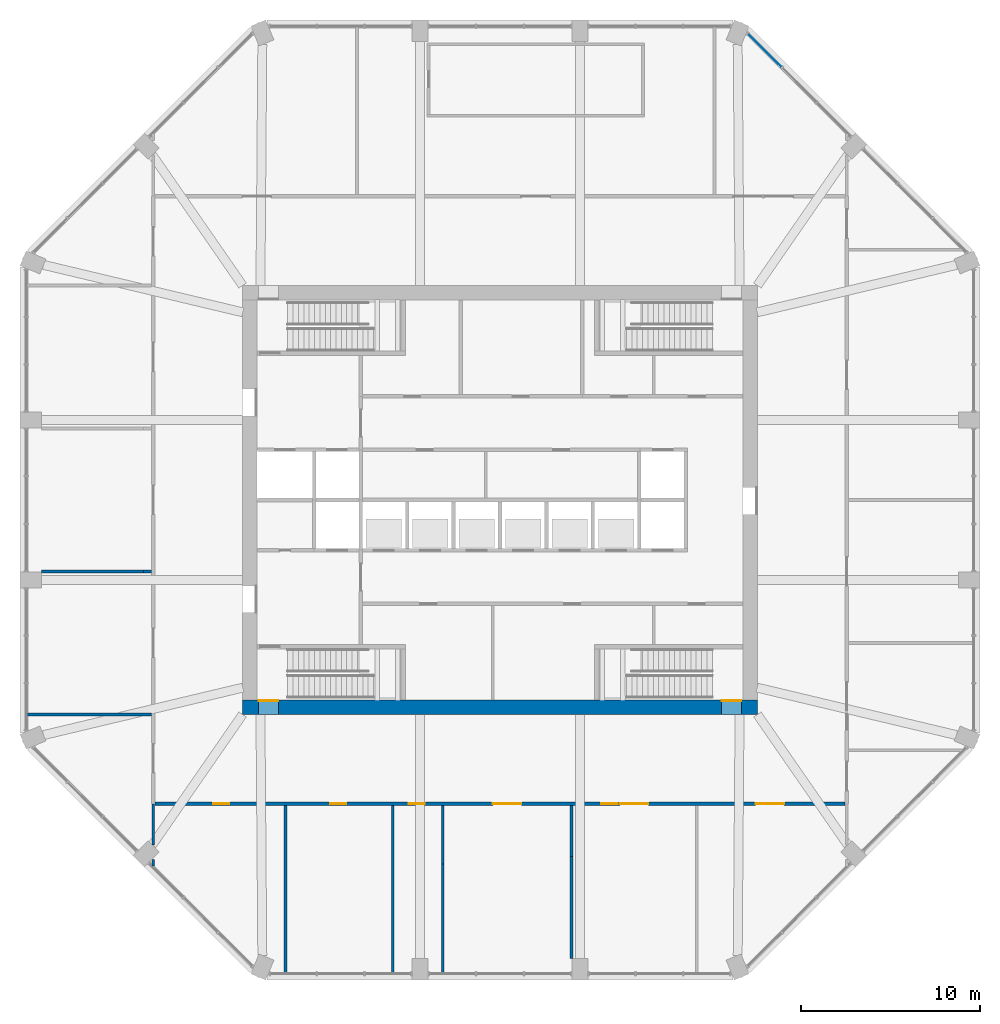
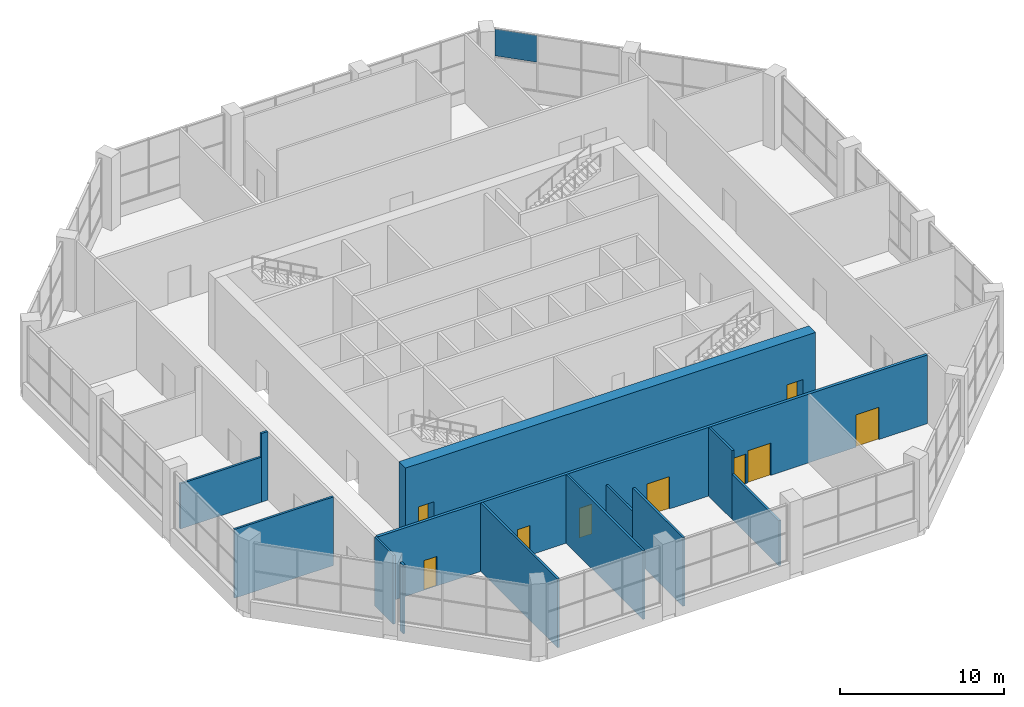
# One storey, part 11 of 16: 13 walls, 9 doors, 1 plate, 9 openings, 1 element without a shape of its own.
"""IFC4 building model written with IfcOpenShell, lengths in metres."""

from ifc_helpers import new_model, si_unit, direction, frame, frame_2d, origin, origin_2d, place, context, subcontext, project, spatial, rectangle, extrude, material, layer, layer_set, type_object, element, fill, aggregate, save


model = new_model("IFC4")

# Units and contexts
model_context = context("Model", 3, precision=1e-05, world=origin(), true_north=direction((0.0, 1.0)))
body_context = subcontext(model_context, "Body", "Model", "MODEL_VIEW")
ifc_project = project(units=[si_unit("LENGTHUNIT", "METRE"), si_unit("AREAUNIT", "SQUARE_METRE"), si_unit("VOLUMEUNIT", "CUBIC_METRE"), si_unit("PLANEANGLEUNIT", "RADIAN"), si_unit("MASSUNIT", "GRAM", prefix="KILO")], contexts=[model_context])

# Site, building, storey
site_placement = place(None, origin())
site = spatial("IfcSite", under=ifc_project, at=site_placement, CompositionType="ELEMENT")
building_placement = place(site_placement, origin())
building = spatial("IfcBuilding", under=site, at=building_placement, Name="Msitu Wima Residences", CompositionType="ELEMENT")
storey_placement = place(building_placement, frame((0.0, 0.0, 156.89990234375)))
storey = spatial("IfcBuildingStorey", under=building, at=storey_placement, Name="L36", CompositionType="ELEMENT", Elevation=156.89990234375)

# Curtain wall, plate
ifc_material_1 = material(Name="Anodised aluminium, bronze finish, solar control laminated double glazing", Category="aluminium")
curtain_wall_type = type_object("IfcCurtainWallType", Name="Curtain wall CW2 sky amenity wall", PredefinedType="NOTDEFINED", material=ifc_material_1)
curtain_wall_placement = place(storey_placement, origin())
curtain_wall = element("IfcCurtainWall", 1, at=curtain_wall_placement, inside=storey, type_object=curtain_wall_type, Name="Curtain wall CW2 L36 NE1", PredefinedType="NOTDEFINED")
ifc_material_2 = material(Name="Solar control laminated double glazing", Category="glass")
ifc_layer_1 = layer(ifc_material_2, 0.0400390625)
ifc_layer_set_1 = layer_set([ifc_layer_1], Name="Solar control laminated double glazing")
plate_type = type_object("IfcPlateType", Name="Glass panel CW2 40", PredefinedType="CURTAIN_PANEL", material=ifc_layer_set_1)
plate_placement = place(storey_placement, frame((14.806640625, 25.140625, 3.03759765625), z_axis=(0.0, 0.0, 1.0), x_axis=(-0.707106781187, 0.707106781187, 0.0)))
plate = element("IfcPlate", 2, at=plate_placement, type_object=plate_type, Name="CW2 panel 3.2", PredefinedType="CURTAIN_PANEL", context=body_context, shape_type="SweptSolid", body=[
    extrude(rectangle(XDim=2.637939453125, YDim=0.0400390625, at=origin_2d()), origin(), (0.0, 0.0, 1.0), 1.987548828125),
])
aggregate(curtain_wall, [plate])

# Wall, openings, doors
ifc_material_3 = material(Name="Concrete C70/85", Category="concrete")
ifc_layer_2 = layer(ifc_material_3, 0.800048828125)
ifc_layer_set_2 = layer_set([ifc_layer_2], Name="Concrete C70/85")
wall_type_1 = type_object("IfcWallType", Name="Core wall CW800 C70/85", PredefinedType="SHEAR", material=ifc_layer_set_2)
wall_1_placement = place(storey_placement, frame((-14.39990234375, -11.60009765625, 0.0), z_axis=(0.0, 0.0, 1.0), x_axis=(1.0, 0.0, 0.0)))
wall_1 = element("IfcWall", 3, at=wall_1_placement, inside=storey, type_object=wall_type_1, Name="Core wall", PredefinedType="SHEAR", context=body_context, shape_type="SweptSolid", body=[
    extrude(rectangle(XDim=28.7998046875, YDim=0.800048828125, at=frame_2d((14.39990234375, 0.0))), origin(), (0.0, 0.0, 1.0), 5.400146484375),
])
opening_1_placement = place(wall_1_placement, frame((0.89990234375, 0.0, 0.0)))
opening_1 = element("IfcOpeningElement", 4, at=opening_1_placement, cuts=wall_1, Name="Opening D36.041", PredefinedType="OPENING", context=body_context, shape_type="SweptSolid", body=[
    extrude(rectangle(XDim=1.10009765625, YDim=2.199951171875, at=frame_2d((0.550048828125, 1.10009765625))), frame((0.0, 0.409912109375, 0.0), z_axis=(0.0, -1.0, 0.0), x_axis=(1.0, 0.0, 0.0)), (0.0, 0.0, 1.0), 0.820068359375),
])
opening_2_placement = place(wall_1_placement, frame((26.800048828125, 0.0, 0.0)))
opening_2 = element("IfcOpeningElement", 5, at=opening_2_placement, cuts=wall_1, Name="Opening D36.043", PredefinedType="OPENING", context=body_context, shape_type="SweptSolid", body=[
    extrude(rectangle(XDim=1.10009765625, YDim=2.199951171875, at=frame_2d((0.550048828125, 1.10009765625))), frame((0.0, 0.409912109375, 0.0), z_axis=(0.0, -1.0, 0.0), x_axis=(1.0, 0.0, 0.0)), (0.0, 0.0, 1.0), 0.820068359375),
])
ifc_material_4 = material(Name="Steel door, fire resisting, panic bar", Category="steel")
door_type_1 = type_object("IfcDoorType", Name="Stair door D06 1100x2200", OperationType="SINGLE_SWING_LEFT", PredefinedType="DOOR", material=ifc_material_4)
door_1_placement = place(opening_1_placement, origin())
door_1 = element("IfcDoor", 6, at=door_1_placement, inside=storey, type_object=door_type_1, Name="Stair door", OperationType="SINGLE_SWING_LEFT", OverallHeight=2.199951171875, OverallWidth=1.10009765625, PredefinedType="DOOR", context=body_context, shape_type="SweptSolid", body=[
    extrude(rectangle(XDim=1.10009765625, YDim=2.199951171875, at=frame_2d((0.550048828125, 1.10009765625))), frame((0.0, 0.39501953125, 0.0), z_axis=(0.0, -1.0, 0.0), x_axis=(1.0, 0.0, 0.0)), (0.0, 0.0, 1.0), 0.050048828125),
])
fill(opening_1, door_1)
door_2_placement = place(opening_2_placement, origin())
door_2 = element("IfcDoor", 7, at=door_2_placement, inside=storey, type_object=door_type_1, Name="Stair door", OperationType="SINGLE_SWING_RIGHT", OverallHeight=2.199951171875, OverallWidth=1.10009765625, PredefinedType="DOOR", context=body_context, shape_type="SweptSolid", body=[
    extrude(rectangle(XDim=1.10009765625, YDim=2.199951171875, at=frame_2d((0.550048828125, 1.10009765625))), frame((0.0, 0.39501953125, 0.0), z_axis=(0.0, -1.0, 0.0), x_axis=(1.0, 0.0, 0.0)), (0.0, 0.0, 1.0), 0.050048828125),
])
fill(opening_2, door_2)

ifc_material_5 = material(Name="Plaster")
ifc_layer_3 = layer(ifc_material_5, 0.011962890625, Name="Plaster")
ifc_material_6 = material(Name="Concrete blockwork", Category="masonry")
ifc_layer_4 = layer(ifc_material_6, 0.176025390625, Name="Concrete blockwork")
ifc_layer_5 = layer(ifc_material_5, 0.011962890625, Name="Plaster")
ifc_layer_set_3 = layer_set([ifc_layer_3, ifc_layer_4, ifc_layer_5], Name="Concrete blockwork")
wall_type_2 = type_object("IfcWallType", Name="Corridor wall FW200", PredefinedType="PARTITIONING", material=ifc_layer_set_3)
wall_2_placement = place(storey_placement, frame((-19.300048828125, -17.0, 0.0), z_axis=(0.0, 0.0, 1.0), x_axis=(1.0, 0.0, 0.0)))
wall_2 = element("IfcWall", 8, at=wall_2_placement, inside=storey, type_object=wall_type_2, Name="Corridor wall", PredefinedType="PARTITIONING", context=body_context, shape_type="SweptSolid", body=[
    extrude(rectangle(XDim=38.60009765625, YDim=0.199951171875, at=frame_2d((19.300048828125, 0.0))), origin(), (0.0, 0.0, 1.0), 5.10009765625),
])
opening_3_placement = place(wall_2_placement, frame((3.25, 0.0, 0.0)))
opening_3 = element("IfcOpeningElement", 9, at=opening_3_placement, cuts=wall_2, Name="Opening D36.027", PredefinedType="OPENING", context=body_context, shape_type="SweptSolid", body=[
    extrude(rectangle(XDim=0.89990234375, YDim=2.199951171875, at=frame_2d((0.449951171875, 1.10009765625))), frame((0.0, 0.10986328125, 0.0), z_axis=(0.0, -1.0, 0.0), x_axis=(1.0, 0.0, 0.0)), (0.0, 0.0, 1.0), 0.219970703125),
])
opening_4_placement = place(wall_2_placement, frame((9.800048828125, 0.0, 0.0)))
opening_4 = element("IfcOpeningElement", 10, at=opening_4_placement, cuts=wall_2, Name="Opening D36.028", PredefinedType="OPENING", context=body_context, shape_type="SweptSolid", body=[
    extrude(rectangle(XDim=0.89990234375, YDim=2.199951171875, at=frame_2d((0.449951171875, 1.10009765625))), frame((0.0, 0.10986328125, 0.0), z_axis=(0.0, -1.0, 0.0), x_axis=(1.0, 0.0, 0.0)), (0.0, 0.0, 1.0), 0.219970703125),
])
opening_5_placement = place(wall_2_placement, frame((14.199951171875, 0.0, 0.0)))
opening_5 = element("IfcOpeningElement", 11, at=opening_5_placement, cuts=wall_2, Name="Opening D36.029", PredefinedType="OPENING", context=body_context, shape_type="SweptSolid", body=[
    extrude(rectangle(XDim=0.89990234375, YDim=2.199951171875, at=frame_2d((0.449951171875, 1.10009765625))), frame((0.0, 0.10986328125, 0.0), z_axis=(0.0, -1.0, 0.0), x_axis=(1.0, 0.0, 0.0)), (0.0, 0.0, 1.0), 0.219970703125),
])
opening_6_placement = place(wall_2_placement, frame((18.89990234375, 0.0, 0.0)))
opening_6 = element("IfcOpeningElement", 12, at=opening_6_placement, cuts=wall_2, Name="Opening D36.030", PredefinedType="OPENING", context=body_context, shape_type="SweptSolid", body=[
    extrude(rectangle(XDim=1.60009765625, YDim=2.39990234375, at=frame_2d((0.800048828125, 1.199951171875))), frame((0.0, 0.10986328125, 0.0), z_axis=(0.0, -1.0, 0.0), x_axis=(1.0, 0.0, 0.0)), (0.0, 0.0, 1.0), 0.219970703125),
])
opening_7_placement = place(wall_2_placement, frame((26.0, 0.0, 0.0)))
opening_7 = element("IfcOpeningElement", 13, at=opening_7_placement, cuts=wall_2, Name="Opening D36.031", PredefinedType="OPENING", context=body_context, shape_type="SweptSolid", body=[
    extrude(rectangle(XDim=1.60009765625, YDim=2.39990234375, at=frame_2d((0.800048828125, 1.199951171875))), frame((0.0, 0.10986328125, 0.0), z_axis=(0.0, -1.0, 0.0), x_axis=(1.0, 0.0, 0.0)), (0.0, 0.0, 1.0), 0.219970703125),
])
opening_8_placement = place(wall_2_placement, frame((33.60009765625, 0.0, 0.0)))
opening_8 = element("IfcOpeningElement", 14, at=opening_8_placement, cuts=wall_2, Name="Opening D36.032", PredefinedType="OPENING", context=body_context, shape_type="SweptSolid", body=[
    extrude(rectangle(XDim=1.60009765625, YDim=2.39990234375, at=frame_2d((0.800048828125, 1.199951171875))), frame((0.0, 0.10986328125, 0.0), z_axis=(0.0, -1.0, 0.0), x_axis=(1.0, 0.0, 0.0)), (0.0, 0.0, 1.0), 0.219970703125),
])
opening_9_placement = place(wall_2_placement, frame((24.949951171875, 0.0, 0.0)))
opening_9 = element("IfcOpeningElement", 15, at=opening_9_placement, cuts=wall_2, Name="Opening D36.036", PredefinedType="OPENING", context=body_context, shape_type="SweptSolid", body=[
    extrude(rectangle(XDim=0.89990234375, YDim=2.199951171875, at=frame_2d((0.449951171875, 1.10009765625))), frame((0.0, 0.10986328125, 0.0), z_axis=(0.0, -1.0, 0.0), x_axis=(1.0, 0.0, 0.0)), (0.0, 0.0, 1.0), 0.219970703125),
])
ifc_material_7 = material(Name="Black aluminium glazed door", Category="aluminium")
door_type_2 = type_object("IfcDoorType", Name="Amenity door D10 1600x2400", OperationType="DOUBLE_DOOR_SINGLE_SWING", PredefinedType="DOOR", material=ifc_material_7)
door_3_placement = place(opening_6_placement, origin())
door_3 = element("IfcDoor", 16, at=door_3_placement, inside=storey, type_object=door_type_2, Name="Amenity door", OperationType="DOUBLE_DOOR_SINGLE_SWING", OverallHeight=2.39990234375, OverallWidth=1.60009765625, PredefinedType="DOOR", context=body_context, shape_type="SweptSolid", body=[
    extrude(rectangle(XDim=1.60009765625, YDim=2.39990234375, at=frame_2d((0.800048828125, 1.199951171875))), frame((0.0, 0.02490234375, 0.0), z_axis=(0.0, -1.0, 0.0), x_axis=(1.0, 0.0, 0.0)), (0.0, 0.0, 1.0), 0.050048828125),
])
fill(opening_6, door_3)
door_4_placement = place(opening_7_placement, origin())
door_4 = element("IfcDoor", 17, at=door_4_placement, inside=storey, type_object=door_type_2, Name="Amenity door", OperationType="DOUBLE_DOOR_SINGLE_SWING", OverallHeight=2.39990234375, OverallWidth=1.60009765625, PredefinedType="DOOR", context=body_context, shape_type="SweptSolid", body=[
    extrude(rectangle(XDim=1.60009765625, YDim=2.39990234375, at=frame_2d((0.800048828125, 1.199951171875))), frame((0.0, 0.02490234375, 0.0), z_axis=(0.0, -1.0, 0.0), x_axis=(1.0, 0.0, 0.0)), (0.0, 0.0, 1.0), 0.050048828125),
])
fill(opening_7, door_4)
door_5_placement = place(opening_8_placement, origin())
door_5 = element("IfcDoor", 18, at=door_5_placement, inside=storey, type_object=door_type_2, Name="Amenity door", OperationType="DOUBLE_DOOR_SINGLE_SWING", OverallHeight=2.39990234375, OverallWidth=1.60009765625, PredefinedType="DOOR", context=body_context, shape_type="SweptSolid", body=[
    extrude(rectangle(XDim=1.60009765625, YDim=2.39990234375, at=frame_2d((0.800048828125, 1.199951171875))), frame((0.0, 0.02490234375, 0.0), z_axis=(0.0, -1.0, 0.0), x_axis=(1.0, 0.0, 0.0)), (0.0, 0.0, 1.0), 0.050048828125),
])
fill(opening_8, door_5)
ifc_material_8 = material(Name="Timber flush door, moisture resistant", Category="wood")
door_type_3 = type_object("IfcDoorType", Name="Bathroom door D03 900x2200", OperationType="SINGLE_SWING_LEFT", PredefinedType="DOOR", material=ifc_material_8)
door_6_placement = place(opening_3_placement, origin())
door_6 = element("IfcDoor", 19, at=door_6_placement, inside=storey, type_object=door_type_3, Name="Bathroom door", OperationType="SINGLE_SWING_RIGHT", OverallHeight=2.199951171875, OverallWidth=0.89990234375, PredefinedType="DOOR", context=body_context, shape_type="SweptSolid", body=[
    extrude(rectangle(XDim=0.89990234375, YDim=2.199951171875, at=frame_2d((0.449951171875, 1.10009765625))), frame((0.0, 0.02490234375, 0.0), z_axis=(0.0, -1.0, 0.0), x_axis=(1.0, 0.0, 0.0)), (0.0, 0.0, 1.0), 0.050048828125),
])
fill(opening_3, door_6)
door_7_placement = place(opening_4_placement, origin())
door_7 = element("IfcDoor", 20, at=door_7_placement, inside=storey, type_object=door_type_3, Name="Bathroom door", OperationType="SINGLE_SWING_RIGHT", OverallHeight=2.199951171875, OverallWidth=0.89990234375, PredefinedType="DOOR", context=body_context, shape_type="SweptSolid", body=[
    extrude(rectangle(XDim=0.89990234375, YDim=2.199951171875, at=frame_2d((0.449951171875, 1.10009765625))), frame((0.0, 0.02490234375, 0.0), z_axis=(0.0, -1.0, 0.0), x_axis=(1.0, 0.0, 0.0)), (0.0, 0.0, 1.0), 0.050048828125),
])
fill(opening_4, door_7)
door_8_placement = place(opening_5_placement, origin())
door_8 = element("IfcDoor", 21, at=door_8_placement, inside=storey, type_object=door_type_3, Name="Bathroom door", OperationType="SINGLE_SWING_RIGHT", OverallHeight=2.199951171875, OverallWidth=0.89990234375, PredefinedType="DOOR", context=body_context, shape_type="SweptSolid", body=[
    extrude(rectangle(XDim=0.89990234375, YDim=2.199951171875, at=frame_2d((0.449951171875, 1.10009765625))), frame((0.0, 0.02490234375, 0.0), z_axis=(0.0, -1.0, 0.0), x_axis=(1.0, 0.0, 0.0)), (0.0, 0.0, 1.0), 0.050048828125),
])
fill(opening_5, door_8)
ifc_material_9 = material(Name="Timber flush door", Category="wood")
door_type_4 = type_object("IfcDoorType", Name="Service door D05 900x2200", OperationType="SINGLE_SWING_LEFT", PredefinedType="DOOR", material=ifc_material_9)
door_9_placement = place(opening_9_placement, origin())
door_9 = element("IfcDoor", 22, at=door_9_placement, inside=storey, type_object=door_type_4, Name="Service door", OperationType="SINGLE_SWING_RIGHT", OverallHeight=2.199951171875, OverallWidth=0.89990234375, PredefinedType="DOOR", context=body_context, shape_type="SweptSolid", body=[
    extrude(rectangle(XDim=0.89990234375, YDim=2.199951171875, at=frame_2d((0.449951171875, 1.10009765625))), frame((0.0, 0.02490234375, 0.0), z_axis=(0.0, -1.0, 0.0), x_axis=(1.0, 0.0, 0.0)), (0.0, 0.0, 1.0), 0.050048828125),
])
fill(opening_9, door_9)

# Walls
ifc_layer_6 = layer(ifc_material_5, 0.011962890625, Name="Plaster")
ifc_layer_7 = layer(ifc_material_6, 0.1259765625, Name="Concrete blockwork")
ifc_layer_8 = layer(ifc_material_5, 0.011962890625, Name="Plaster")
ifc_layer_set_4 = layer_set([ifc_layer_6, ifc_layer_7, ifc_layer_8], Name="Concrete blockwork")
wall_type_3 = type_object("IfcWallType", Name="Partition PW150", PredefinedType="PARTITIONING", material=ifc_layer_set_4)
wall_3_placement = place(storey_placement, frame((-26.455078125, -12.0, 0.0), z_axis=(0.0, 0.0, 1.0), x_axis=(1.0, 0.0, 0.0)))
element("IfcWall", 23, at=wall_3_placement, inside=storey, type_object=wall_type_3, Name="Partition", PredefinedType="PARTITIONING", context=body_context, shape_type="SweptSolid", body=[
    extrude(rectangle(XDim=6.955078125, YDim=0.14990234375, at=frame_2d((3.4775390625, 0.0))), origin(), (0.0, 0.0, 1.0), 5.10009765625),
])
wall_4_placement = place(storey_placement, frame((-25.64990234375, -4.0, 0.0), z_axis=(0.0, 0.0, 1.0), x_axis=(1.0, 0.0, 0.0)))
element("IfcWall", 24, at=wall_4_placement, inside=storey, type_object=wall_type_3, Name="Partition", PredefinedType="PARTITIONING", context=body_context, shape_type="SweptSolid", body=[
    extrude(rectangle(XDim=5.694580078125, YDim=0.14990234375, at=frame_2d((2.84716796875, 0.0))), origin(), (0.0, 0.0, 1.0), 3.35009765625),
])
wall_5_placement = place(storey_placement, frame((-19.955322265625, -4.0, 0.0), z_axis=(0.0, 0.0, 1.0), x_axis=(1.0, 0.0, 0.0)))
element("IfcWall", 25, at=wall_5_placement, inside=storey, type_object=wall_type_3, Name="Partition", PredefinedType="PARTITIONING", context=body_context, shape_type="SweptSolid", body=[
    extrude(rectangle(XDim=0.455322265625, YDim=0.14990234375, at=frame_2d((0.2275390625, 0.0))), origin(), (0.0, 0.0, 1.0), 5.10009765625),
])
wall_6_placement = place(storey_placement, frame((-19.39990234375, -20.483642578125, 0.0), z_axis=(0.0, 0.0, 1.0), x_axis=(0.0, 1.0, 0.0)))
element("IfcWall", 26, at=wall_6_placement, inside=storey, type_object=wall_type_3, Name="Partition", PredefinedType="PARTITIONING", context=body_context, shape_type="SweptSolid", body=[
    extrude(rectangle(XDim=0.38720703125, YDim=0.14990234375, at=frame_2d((0.193603515625, 0.0))), origin(), (0.0, 0.0, 1.0), 5.10009765625),
])
wall_7_placement = place(storey_placement, frame((-19.39990234375, -19.28515625, 0.0), z_axis=(0.0, 0.0, 1.0), x_axis=(0.0, 1.0, 0.0)))
element("IfcWall", 27, at=wall_7_placement, inside=storey, type_object=wall_type_3, Name="Partition", PredefinedType="PARTITIONING", context=body_context, shape_type="SweptSolid", body=[
    extrude(rectangle(XDim=2.28515625, YDim=0.14990234375, at=frame_2d((1.142578125, 0.0))), origin(), (0.0, 0.0, 1.0), 5.10009765625),
])
for number, where, z_axis, x_axis, name in (
    (28, (-12.0, -26.455078125, 0.0), (0.0, 0.0, 1.0), (0.0, 1.0, 0.0), "Partition"),
    (29, (-6.0, -26.455078125, 0.0), (0.0, 0.0, 1.0), (0.0, 1.0, 0.0), "Partition"),
):
    element("IfcWall", number, at=place(storey_placement, frame(where, z_axis=z_axis, x_axis=x_axis)), inside=storey, type_object=wall_type_3, Name=name, PredefinedType="PARTITIONING", context=body_context, shape_type="SweptSolid", body=[
        extrude(rectangle(XDim=9.35498046875, YDim=0.14990234375, at=frame_2d((4.677490234375, 0.0))), origin(), (0.0, 0.0, 1.0), 5.10009765625),
    ])
wall_8_placement = place(storey_placement, frame((-3.199951171875, -26.455078125, 0.0), z_axis=(0.0, 0.0, 1.0), x_axis=(0.0, 1.0, 0.0)))
element("IfcWall", 30, at=wall_8_placement, inside=storey, type_object=wall_type_3, Name="Partition", PredefinedType="PARTITIONING", context=body_context, shape_type="SweptSolid", body=[
    extrude(rectangle(XDim=6.099365234375, YDim=0.14990234375, at=frame_2d((3.0498046875, 0.0))), origin(), (0.0, 0.0, 1.0), 5.10009765625),
])
wall_9_placement = place(storey_placement, frame((-3.199951171875, -20.355712890625, 0.0), z_axis=(0.0, 0.0, 1.0), x_axis=(0.0, 1.0, 0.0)))
element("IfcWall", 31, at=wall_9_placement, inside=storey, type_object=wall_type_3, Name="Partition", PredefinedType="PARTITIONING", context=body_context, shape_type="SweptSolid", body=[
    extrude(rectangle(XDim=3.255615234375, YDim=0.14990234375, at=frame_2d((1.6279296875, 0.0))), origin(), (0.0, 0.0, 1.0), 3.35009765625),
])
wall_10_placement = place(storey_placement, frame((4.0, -25.64990234375, 0.0), z_axis=(0.0, 0.0, 1.0), x_axis=(0.0, 1.0, 0.0)))
element("IfcWall", 32, at=wall_10_placement, inside=storey, type_object=wall_type_3, Name="Partition", PredefinedType="PARTITIONING", context=body_context, shape_type="SweptSolid", body=[
    extrude(rectangle(XDim=5.694580078125, YDim=0.14990234375, at=frame_2d((2.84716796875, 0.0))), origin(), (0.0, 0.0, 1.0), 3.35009765625),
])
wall_11_placement = place(storey_placement, frame((4.0, -19.955322265625, 0.0), z_axis=(0.0, 0.0, 1.0), x_axis=(0.0, 1.0, 0.0)))
element("IfcWall", 33, at=wall_11_placement, inside=storey, type_object=wall_type_3, Name="Partition", PredefinedType="PARTITIONING", context=body_context, shape_type="SweptSolid", body=[
    extrude(rectangle(XDim=2.855224609375, YDim=0.14990234375, at=frame_2d((1.427734375, 0.0))), origin(), (0.0, 0.0, 1.0), 5.10009765625),
])

save(model, "model.ifc")
